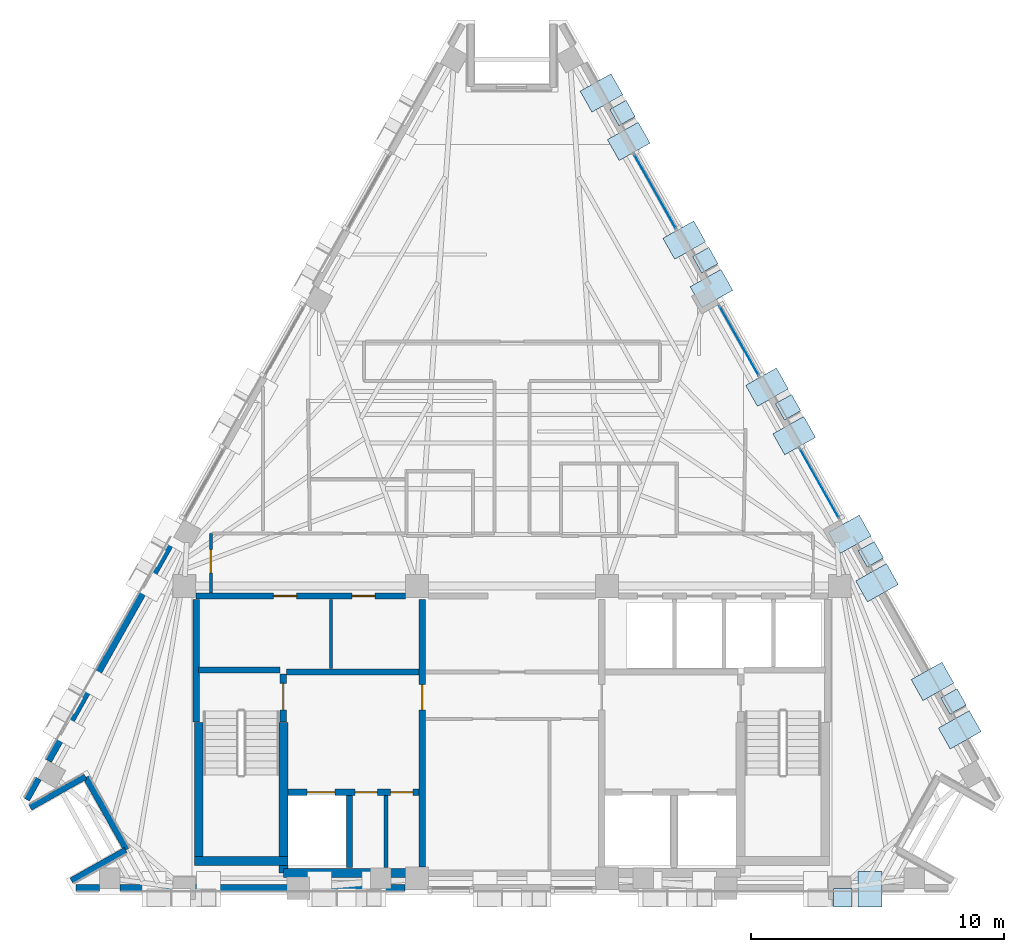
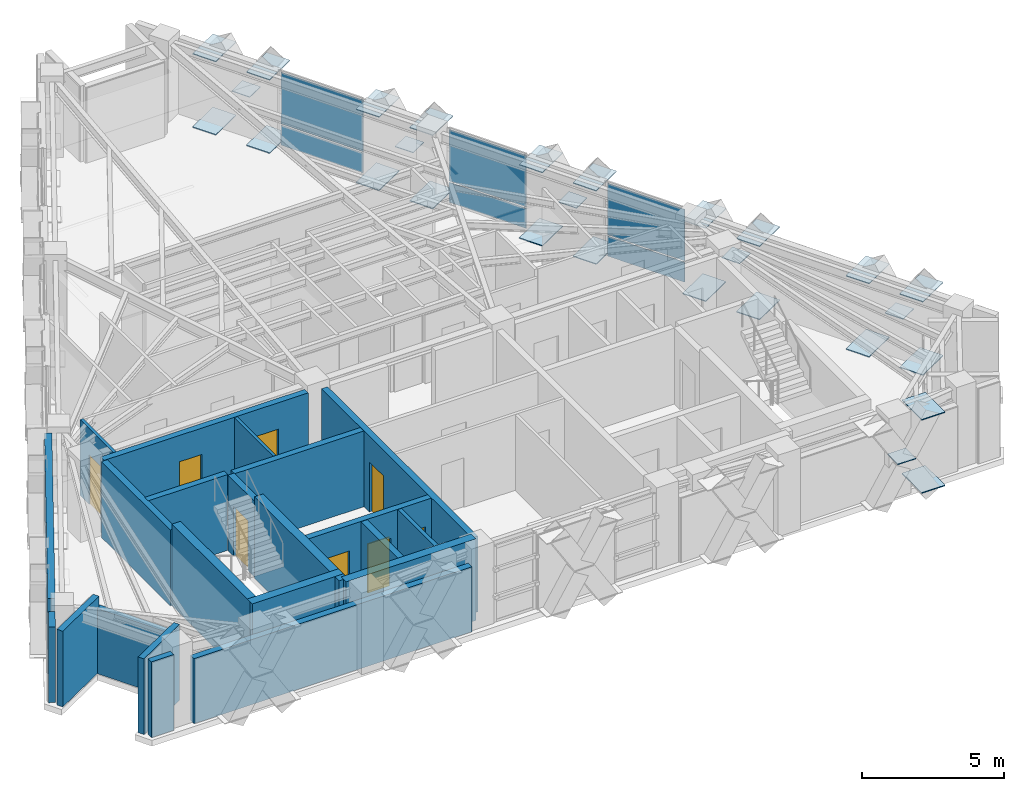
# One storey, part 6 of 11: 34 plates, 22 walls, 8 doors, 8 openings, 3 elements without a shape of their own.
"""IFC4 building model written with IfcOpenShell, lengths in metres."""

from ifc_helpers import new_model, si_unit, direction, frame, frame_2d, origin, origin_2d, place, context, subcontext, project, spatial, rectangle, extrude, material, layer, layer_set, type_object, element, fill, aggregate, save


model = new_model("IFC4")

# Units and contexts
model_context = context("Model", 3, precision=1e-05, world=origin(), true_north=direction((0.0, 1.0)))
body_context = subcontext(model_context, "Body", "Model", "MODEL_VIEW")
ifc_project = project(units=[si_unit("LENGTHUNIT", "METRE"), si_unit("AREAUNIT", "SQUARE_METRE"), si_unit("VOLUMEUNIT", "CUBIC_METRE"), si_unit("PLANEANGLEUNIT", "RADIAN"), si_unit("MASSUNIT", "GRAM", prefix="KILO")], contexts=[model_context])

# Site, building, storey
site_placement = place(None, origin())
site = spatial("IfcSite", under=ifc_project, at=site_placement, CompositionType="ELEMENT")
building_placement = place(site_placement, origin())
building = spatial("IfcBuilding", under=site, at=building_placement, Name="Quenlor Broadcast Tower", CompositionType="ELEMENT")
storey_placement = place(building_placement, frame((0.0, 0.0, 253.39990234375)))
storey = spatial("IfcBuildingStorey", under=building, at=storey_placement, Name="L70", CompositionType="ELEMENT", Elevation=253.39990234375)

# Curtain wall, plates
ifc_material_1 = material(Name="Architectural Terracotta and Low-E Glazing", Category="masonry")
curtain_wall_type = type_object("IfcCurtainWallType", Name="Unitised Terracotta Curtain Wall System Z5", PredefinedType="NOTDEFINED", material=ifc_material_1)
curtain_wall_1_placement = place(storey_placement, origin())
curtain_wall_1 = element("IfcCurtainWall", 1, at=curtain_wall_1_placement, inside=storey, type_object=curtain_wall_type, Name="L70 Curtain Wall CW5 (L70-NEA-G1)", PredefinedType="NOTDEFINED")
ifc_material_2 = material(Name="Double Glazed Low-E Solar Glass", Category="glass")
ifc_layer_1 = layer(ifc_material_2, 0.02587890625)
ifc_layer_set_1 = layer_set([ifc_layer_1], Name="CW5 Double Glazed Vision Panel 26")
plate_type_1 = type_object("IfcPlateType", Name="CW5 Double Glazed Vision Panel 26", PredefinedType="CURTAIN_PANEL", material=ifc_layer_set_1)
plate_1_placement = place(storey_placement, frame((5.65576171875, 10.784423828125, 0.065185546875), z_axis=(0.0, 0.0, 1.0), x_axis=(0.490250335582, -0.871581670563, 0.0)))
plate_1 = element("IfcPlate", 2, at=plate_1_placement, type_object=plate_type_1, Name="CW5 panel 1.1", PredefinedType="CURTAIN_PANEL", context=body_context, shape_type="SweptSolid", body=[
    extrude(rectangle(XDim=3.353271484375, YDim=0.02587890625, at=origin_2d()), origin(), (0.0, 0.0, 1.0), 0.8525390625),
])
plate_2_placement = place(storey_placement, frame((5.65576171875, 10.784423828125, 0.982421875), z_axis=(0.0, 0.0, 1.0), x_axis=(0.490250335582, -0.871581670563, 0.0)))
plate_2 = element("IfcPlate", 3, at=plate_2_placement, type_object=plate_type_1, Name="CW5 panel 1.2", PredefinedType="CURTAIN_PANEL", context=body_context, shape_type="SweptSolid", body=[
    extrude(rectangle(XDim=3.353271484375, YDim=0.02587890625, at=origin_2d()), origin(), (0.0, 0.0, 1.0), 2.202392578125),
])
aggregate(curtain_wall_1, [plate_1, plate_2])

curtain_wall_2_placement = place(storey_placement, origin())
curtain_wall_2 = element("IfcCurtainWall", 4, at=curtain_wall_2_placement, inside=storey, type_object=curtain_wall_type, Name="L70 Curtain Wall CW5 (L70-NE-G1)", PredefinedType="NOTDEFINED")
plate_3_placement = place(storey_placement, frame((8.976806640625, 4.88037109375, 0.065185546875), z_axis=(0.0, 0.0, 1.0), x_axis=(0.490262689797, -0.871574721405, 0.0)))
plate_3 = element("IfcPlate", 5, at=plate_3_placement, type_object=plate_type_1, Name="CW5 panel 1.1", PredefinedType="CURTAIN_PANEL", context=body_context, shape_type="SweptSolid", body=[
    extrude(rectangle(XDim=3.14404296875, YDim=0.02587890625, at=origin_2d()), origin(), (0.0, 0.0, 1.0), 0.8525390625),
])
plate_4_placement = place(storey_placement, frame((8.976806640625, 4.88037109375, 0.982421875), z_axis=(0.0, 0.0, 1.0), x_axis=(0.490262689797, -0.871574721405, 0.0)))
plate_4 = element("IfcPlate", 6, at=plate_4_placement, type_object=plate_type_1, Name="CW5 panel 1.2", PredefinedType="CURTAIN_PANEL", context=body_context, shape_type="SweptSolid", body=[
    extrude(rectangle(XDim=3.14404296875, YDim=0.02587890625, at=origin_2d()), origin(), (0.0, 0.0, 1.0), 2.202392578125),
])
aggregate(curtain_wall_2, [plate_3, plate_4])

curtain_wall_3_placement = place(storey_placement, origin())
curtain_wall_3 = element("IfcCurtainWall", 7, at=curtain_wall_3_placement, inside=storey, type_object=curtain_wall_type, Name="L70 Curtain Wall CW5 (L70-NE-G2)", PredefinedType="NOTDEFINED")
plate_5_placement = place(storey_placement, frame((12.143798828125, -0.75, 0.065185546875), z_axis=(0.0, 0.0, 1.0), x_axis=(0.490262689797, -0.871574721405, 0.0)))
plate_5 = element("IfcPlate", 8, at=plate_5_placement, type_object=plate_type_1, Name="CW5 panel 1.1", PredefinedType="CURTAIN_PANEL", context=body_context, shape_type="SweptSolid", body=[
    extrude(rectangle(XDim=3.14404296875, YDim=0.02587890625, at=origin_2d()), origin(), (0.0, 0.0, 1.0), 0.8525390625),
])
plate_6_placement = place(storey_placement, frame((12.143798828125, -0.75, 0.982421875), z_axis=(0.0, 0.0, 1.0), x_axis=(0.490262689797, -0.871574721405, 0.0)))
plate_6 = element("IfcPlate", 9, at=plate_6_placement, type_object=plate_type_1, Name="CW5 panel 1.2", PredefinedType="CURTAIN_PANEL", context=body_context, shape_type="SweptSolid", body=[
    extrude(rectangle(XDim=3.14404296875, YDim=0.02587890625, at=origin_2d()), origin(), (0.0, 0.0, 1.0), 2.202392578125),
])
aggregate(curtain_wall_3, [plate_5, plate_6])

# Plates
ifc_material_3 = material(Name="Steel S355", Category="steel")
ifc_layer_2 = layer(ifc_material_3, 0.028076171875)
ifc_layer_set_2 = layer_set([ifc_layer_2], Name="Perimeter Lattice Node Steel S355 Cap Plate 740x740x28")
plate_type_2 = type_object("IfcPlateType", Name="Perimeter Lattice Node Steel S355 Cap Plate 740x740x28", PredefinedType="USERDEFINED", material=ifc_layer_set_2)
for number, where, z_axis, x_axis, name in (
    (10, (13.06396484375, -17.1201171875, 1.6162109375), (0.0, 0.0, 1.0), (-1.0, 0.0, 0.0), "L70 Diamond Lattice Crossing Node S-C1"),
    (11, (4.365234375, 13.884521484375, 1.6162109375), (0.0, 0.0, 1.0), (0.490295412055, -0.871556314255, 0.0), "L70 Diamond Lattice Crossing Node NE-C1"),
    (12, (7.635009765625, 8.071533203125, 1.6162109375), (0.0, 0.0, 1.0), (0.490295412055, -0.871556314255, 0.0), "L70 Diamond Lattice Crossing Node NE-C2"),
    (13, (10.904541015625, 2.2587890625, 1.6162109375), (0.0, 0.0, 1.0), (0.490295412055, -0.871556314255, 0.0), "L70 Diamond Lattice Crossing Node NE-C3"),
    (14, (14.17431640625, -3.553955078125, 1.6162109375), (0.0, 0.0, 1.0), (0.490295412055, -0.871556314255, 0.0), "L70 Diamond Lattice Crossing Node NE-C4"),
    (15, (17.444091796875, -9.36669921875, 1.6162109375), (0.0, 0.0, 1.0), (0.490295412055, -0.871556314255, 0.0), "L70 Diamond Lattice Crossing Node NE-C5"),
):
    element("IfcPlate", number, at=place(storey_placement, frame(where, z_axis=z_axis, x_axis=x_axis)), inside=storey, type_object=plate_type_2, Name=name, ObjectType="CAP PLATE", PredefinedType="USERDEFINED", context=body_context, shape_type="SweptSolid", body=[
        extrude(rectangle(XDim=0.739990234375, YDim=0.739990234375, at=origin_2d()), origin(), (0.0, 0.0, 1.0), 0.028076171875),
    ])
ifc_material_4 = material(Name="Steel S355", Category="steel")
ifc_layer_3 = layer(ifc_material_4, 0.035888671875)
ifc_layer_set_3 = layer_set([ifc_layer_3], Name="Transfer Truss Steel S355 Gusset Node Plate 1400x950x36")
plate_type_3 = type_object("IfcPlateType", Name="Transfer Truss Steel S355 Gusset Node Plate 1400x950x36", PredefinedType="SHEET", material=ifc_layer_set_3)
for number, where, z_axis, x_axis, name in (
    (16, (14.1396484375, -16.784912109375, 0.0419921875), (0.0, 0.0, 1.0), (0.0, -1.0, 0.0), "L70 Lattice Tie Gusset Node S-B1"),
    (17, (14.1396484375, -16.784912109375, 3.18212890625), (0.0, 0.0, 1.0), (0.0, -1.0, 0.0), "L70 Lattice Tie Gusset Node S-T1"),
    (18, (3.534912109375, 14.677490234375, 0.0419921875), (0.0, 0.0, 1.0), (0.871556314255, 0.490295412055, 0.0), "L70 Lattice Tie Gusset Node NE-B1"),
    (19, (4.611572265625, 12.762939453125, 3.18212890625), (0.0, 0.0, 1.0), (0.871556314255, 0.490295412055, 0.0), "L70 Lattice Tie Gusset Node NE-T2"),
    (20, (4.611572265625, 12.762939453125, 0.0419921875), (0.0, 0.0, 1.0), (0.871556314255, 0.490295412055, 0.0), "L70 Lattice Tie Gusset Node NE-B2"),
    (21, (3.534912109375, 14.677490234375, 3.18212890625), (0.0, 0.0, 1.0), (0.871556314255, 0.490295412055, 0.0), "L70 Lattice Tie Gusset Node NE-T1"),
    (22, (6.804443359375, 8.864501953125, 0.0419921875), (0.0, 0.0, 1.0), (0.871556314255, 0.490295412055, 0.0), "L70 Lattice Tie Gusset Node NE-B4"),
    (23, (7.88134765625, 6.9501953125, 3.18212890625), (0.0, 0.0, 1.0), (0.871556314255, 0.490295412055, 0.0), "L70 Lattice Tie Gusset Node NE-T5"),
    (24, (7.88134765625, 6.9501953125, 0.0419921875), (0.0, 0.0, 1.0), (0.871556314255, 0.490295412055, 0.0), "L70 Lattice Tie Gusset Node NE-B5"),
    (25, (6.804443359375, 8.864501953125, 3.18212890625), (0.0, 0.0, 1.0), (0.871556314255, 0.490295412055, 0.0), "L70 Lattice Tie Gusset Node NE-T4"),
    (26, (10.07421875, 3.0517578125, 0.0419921875), (0.0, 0.0, 1.0), (0.871556314255, 0.490295412055, 0.0), "L70 Lattice Tie Gusset Node NE-B7"),
    (27, (11.15087890625, 1.137451171875, 3.18212890625), (0.0, 0.0, 1.0), (0.871556314255, 0.490295412055, 0.0), "L70 Lattice Tie Gusset Node NE-T8"),
    (28, (11.15087890625, 1.137451171875, 0.0419921875), (0.0, 0.0, 1.0), (0.871556314255, 0.490295412055, 0.0), "L70 Lattice Tie Gusset Node NE-B8"),
    (29, (10.07421875, 3.0517578125, 3.18212890625), (0.0, 0.0, 1.0), (0.871556314255, 0.490295412055, 0.0), "L70 Lattice Tie Gusset Node NE-T7"),
    (30, (13.343994140625, -2.760986328125, 0.0419921875), (0.0, 0.0, 1.0), (0.871556314255, 0.490295412055, 0.0), "L70 Lattice Tie Gusset Node NE-B10"),
    (31, (14.420654296875, -4.67529296875, 3.18212890625), (0.0, 0.0, 1.0), (0.871556314255, 0.490295412055, 0.0), "L70 Lattice Tie Gusset Node NE-T11"),
    (32, (14.420654296875, -4.67529296875, 0.0419921875), (0.0, 0.0, 1.0), (0.871556314255, 0.490295412055, 0.0), "L70 Lattice Tie Gusset Node NE-B11"),
    (33, (13.343994140625, -2.760986328125, 3.18212890625), (0.0, 0.0, 1.0), (0.871556314255, 0.490295412055, 0.0), "L70 Lattice Tie Gusset Node NE-T10"),
    (34, (16.613525390625, -8.57373046875, 0.0419921875), (0.0, 0.0, 1.0), (0.871556314255, 0.490295412055, 0.0), "L70 Lattice Tie Gusset Node NE-B13"),
    (35, (17.6904296875, -10.48828125, 3.18212890625), (0.0, 0.0, 1.0), (0.871556314255, 0.490295412055, 0.0), "L70 Lattice Tie Gusset Node NE-T14"),
    (36, (17.6904296875, -10.48828125, 0.0419921875), (0.0, 0.0, 1.0), (0.871556314255, 0.490295412055, 0.0), "L70 Lattice Tie Gusset Node NE-B14"),
    (37, (16.613525390625, -8.57373046875, 3.18212890625), (0.0, 0.0, 1.0), (0.871556314255, 0.490295412055, 0.0), "L70 Lattice Tie Gusset Node NE-T13"),
):
    element("IfcPlate", number, at=place(storey_placement, frame(where, z_axis=z_axis, x_axis=x_axis)), inside=storey, type_object=plate_type_3, Name=name, PredefinedType="SHEET", context=body_context, shape_type="SweptSolid", body=[
        extrude(rectangle(XDim=1.39990234375, YDim=0.949951171875, at=origin_2d()), origin(), (0.0, 0.0, 1.0), 0.035888671875),
    ])

# Walls
ifc_material_5 = material(Name="Concrete C50/60", Category="concrete")
ifc_layer_4 = layer(ifc_material_5, 0.35009765625)
ifc_layer_set_4 = layer_set([ifc_layer_4], Name="Core Concrete C50/60 Shear Wall 350")
wall_type_1 = type_object("IfcWallType", Name="Core Concrete C50/60 Shear Wall 350", PredefinedType="SHEAR", material=ifc_layer_set_4)
wall_1_placement = place(storey_placement, frame((-12.550048828125, -15.675048828125, 0.0), z_axis=(0.0, 0.0, 1.0), x_axis=(1.0, 0.0, 0.0)))
element("IfcWall", 38, at=wall_1_placement, inside=storey, type_object=wall_type_1, Name="L70 Core Shear Wall WS-W1", PredefinedType="SHEAR", context=body_context, shape_type="SweptSolid", body=[
    extrude(rectangle(XDim=3.699951171875, YDim=0.35009765625, at=frame_2d((1.85009765625, 0.0))), origin(), (0.0, 0.0, 1.0), 3.5),
])
wall_2_placement = place(storey_placement, frame((-9.02490234375, -16.14990234375, 0.0), z_axis=(0.0, 0.0, 1.0), x_axis=(1.0, 0.0, 0.0)))
element("IfcWall", 39, at=wall_2_placement, inside=storey, type_object=wall_type_1, Name="L70 Core Shear Wall WS-W2", PredefinedType="SHEAR", context=body_context, shape_type="SweptSolid", body=[
    extrude(rectangle(XDim=5.27490234375, YDim=0.35009765625, at=frame_2d((2.637451171875, 0.0))), origin(), (0.0, 0.0, 1.0), 3.5),
])
wall_3_placement = place(storey_placement, frame((-12.375, -15.675048828125, 0.0), z_axis=(0.0, 0.0, 1.0), x_axis=(0.0, 1.0, 0.0)))
element("IfcWall", 40, at=wall_3_placement, inside=storey, type_object=wall_type_1, Name="L70 Core Shear Wall WF-W", PredefinedType="SHEAR", context=body_context, shape_type="SweptSolid", body=[
    extrude(rectangle(XDim=5.47509765625, YDim=0.35009765625, at=frame_2d((2.737548828125, 0.0))), origin(), (0.0, 0.0, 1.0), 3.5),
])
wall_4_placement = place(storey_placement, frame((-9.02490234375, -16.14990234375, 0.0), z_axis=(0.0, 0.0, 1.0), x_axis=(0.0, 1.0, 0.0)))
element("IfcWall", 41, at=wall_4_placement, inside=storey, type_object=wall_type_1, Name="L70 Core Shear Wall WI-W", PredefinedType="SHEAR", context=body_context, shape_type="SweptSolid", body=[
    extrude(rectangle(XDim=5.949951171875, YDim=0.35009765625, at=frame_2d((2.97509765625, 0.0))), origin(), (0.0, 0.0, 1.0), 3.5),
])

# Wall, opening, door
ifc_material_6 = material(Name="Concrete C40/50", Category="concrete")
ifc_layer_5 = layer(ifc_material_6, 0.25)
ifc_layer_set_5 = layer_set([ifc_layer_5], Name="Fire Rated Concrete C40/50 Core Wall 250")
wall_type_2 = type_object("IfcWallType", Name="Fire Rated Concrete C40/50 Core Wall 250", PredefinedType="PARTITIONING", material=ifc_layer_set_5)
wall_5_placement = place(storey_placement, frame((-9.0400390625, -10.179931640625, 0.0), z_axis=(0.0, 0.0, 1.0), x_axis=(0.0, 1.0, 0.0)))
wall_5 = element("IfcWall", 42, at=wall_5_placement, inside=storey, type_object=wall_type_2, Name="L70 Interior Wall CW-ST1-DR", PredefinedType="PARTITIONING", context=body_context, shape_type="SweptSolid", body=[
    extrude(rectangle(XDim=1.89990234375, YDim=0.25, at=frame_2d((0.949951171875, 0.0))), origin(), (0.0, 0.0, 1.0), 3.25),
])
opening_1_placement = place(wall_5_placement, frame((0.47998046875, 0.0, 0.0)))
opening_1 = element("IfcOpeningElement", 43, at=opening_1_placement, cuts=wall_5, Name="Opening FD-1", PredefinedType="OPENING", context=body_context, shape_type="SweptSolid", body=[
    extrude(rectangle(XDim=1.050048828125, YDim=2.14990234375, at=frame_2d((0.52490234375, 1.074951171875))), frame((0.0, 0.135009765625, 0.0), z_axis=(0.0, -1.0, 0.0), x_axis=(1.0, 0.0, 0.0)), (0.0, 0.0, 1.0), 0.27001953125),
])
ifc_material_7 = material(Name="Fire Rated Steel Door Leaf", Category="steel")
door_type_1 = type_object("IfcDoorType", Name="Fire Isolated Stair Door 1050x2150", OperationType="NOTDEFINED", PredefinedType="DOOR", material=ifc_material_7)
door_1_placement = place(opening_1_placement, origin())
door_1 = element("IfcDoor", 44, at=door_1_placement, inside=storey, type_object=door_type_1, Name="L70 Door DR-ST1", OperationType="SINGLE_SWING_LEFT", OverallHeight=2.14990234375, OverallWidth=1.050048828125, PredefinedType="DOOR", context=body_context, shape_type="SweptSolid", body=[
    extrude(rectangle(XDim=1.050048828125, YDim=2.14990234375, at=frame_2d((0.52490234375, 1.074951171875))), frame((0.0, 0.02490234375, 0.0), z_axis=(0.0, -1.0, 0.0), x_axis=(1.0, 0.0, 0.0)), (0.0, 0.0, 1.0), 0.050048828125),
])
fill(opening_1, door_1)

# Walls
wall_6_placement = place(storey_placement, frame((-12.3798828125, -8.1201171875, 0.0), z_axis=(0.0, 0.0, 1.0), x_axis=(1.0, 0.0, 0.0)))
element("IfcWall", 45, at=wall_6_placement, inside=storey, type_object=wall_type_2, Name="L70 Interior Wall CW-ST1-N", PredefinedType="PARTITIONING", context=body_context, shape_type="SweptSolid", body=[
    extrude(rectangle(XDim=3.219970703125, YDim=0.25, at=frame_2d((1.60986328125, 0.0))), origin(), (0.0, 0.0, 1.0), 3.25),
])
wall_7_placement = place(storey_placement, frame((-12.47998046875, -10.179931640625, 0.0), z_axis=(0.0, 0.0, 1.0), x_axis=(0.0, 1.0, 0.0)))
element("IfcWall", 46, at=wall_7_placement, inside=storey, type_object=wall_type_2, Name="L70 Interior Wall CW-ST1-W2", PredefinedType="PARTITIONING", context=body_context, shape_type="SweptSolid", body=[
    extrude(rectangle(XDim=4.83984375, YDim=0.25, at=frame_2d((2.419921875, 0.0))), origin(), (0.0, 0.0, 1.0), 3.25),
])

# Wall, openings, doors
wall_8_placement = place(storey_placement, frame((-8.847900390625, -12.949951171875, 0.0), z_axis=(0.0, 0.0, 1.0), x_axis=(1.0, 0.0, 0.0)))
wall_8 = element("IfcWall", 47, at=wall_8_placement, inside=storey, type_object=wall_type_2, Name="L70 Interior Wall CW-FFW-S", PredefinedType="PARTITIONING", context=body_context, shape_type="SweptSolid", body=[
    extrude(rectangle(XDim=5.16796875, YDim=0.25, at=frame_2d((2.583984375, 0.0))), origin(), (0.0, 0.0, 1.0), 3.25),
])
opening_2_placement = place(wall_8_placement, frame((0.748046875, 0.0, 0.0)))
opening_2 = element("IfcOpeningElement", 48, at=opening_2_placement, cuts=wall_8, Name="Opening LD-FFL-1", PredefinedType="OPENING", context=body_context, shape_type="SweptSolid", body=[
    extrude(rectangle(XDim=1.10009765625, YDim=2.14990234375, at=frame_2d((0.550048828125, 1.074951171875))), frame((0.0, 0.135009765625, 0.0), z_axis=(0.0, -1.0, 0.0), x_axis=(1.0, 0.0, 0.0)), (0.0, 0.0, 1.0), 0.27001953125),
])
opening_3_placement = place(wall_8_placement, frame((2.64794921875, 0.0, 0.0)))
opening_3 = element("IfcOpeningElement", 49, at=opening_3_placement, cuts=wall_8, Name="Opening TD-1", PredefinedType="OPENING", context=body_context, shape_type="SweptSolid", body=[
    extrude(rectangle(XDim=0.8798828125, YDim=2.10009765625, at=frame_2d((0.43994140625, 1.050048828125))), frame((0.0, 0.135009765625, 0.0), z_axis=(0.0, -1.0, 0.0), x_axis=(1.0, 0.0, 0.0)), (0.0, 0.0, 1.0), 0.27001953125),
])
opening_4_placement = place(wall_8_placement, frame((4.048095703125, 0.0, 0.0)))
opening_4 = element("IfcOpeningElement", 50, at=opening_4_placement, cuts=wall_8, Name="Opening TD-1", PredefinedType="OPENING", context=body_context, shape_type="SweptSolid", body=[
    extrude(rectangle(XDim=0.8798828125, YDim=2.10009765625, at=frame_2d((0.43994140625, 1.050048828125))), frame((0.0, 0.135009765625, 0.0), z_axis=(0.0, -1.0, 0.0), x_axis=(1.0, 0.0, 0.0)), (0.0, 0.0, 1.0), 0.27001953125),
])
ifc_material_8 = material(Name="Brushed Stainless Steel", Category="steel")
door_type_2 = type_object("IfcDoorType", Name="Emergency Lift Sliding Landing Door 1100x2150", OperationType="NOTDEFINED", PredefinedType="DOOR", material=ifc_material_8)
door_2_placement = place(opening_2_placement, origin())
door_2 = element("IfcDoor", 51, at=door_2_placement, inside=storey, type_object=door_type_2, Name="L70 Door LD-FFL-1", OperationType="SLIDING_TO_LEFT", OverallHeight=2.14990234375, OverallWidth=1.10009765625, PredefinedType="DOOR", context=body_context, shape_type="SweptSolid", body=[
    extrude(rectangle(XDim=1.10009765625, YDim=2.14990234375, at=frame_2d((0.550048828125, 1.074951171875))), frame((0.0, 0.02490234375, 0.0), z_axis=(0.0, -1.0, 0.0), x_axis=(1.0, 0.0, 0.0)), (0.0, 0.0, 1.0), 0.050048828125),
])
fill(opening_2, door_2)
ifc_material_9 = material(Name="Fire Rated Steel Access Panel", Category="steel")
door_type_3 = type_object("IfcDoorType", Name="Riser Shaft Rated Access Trapdoor 880x2100", OperationType="NOTDEFINED", PredefinedType="TRAPDOOR", material=ifc_material_9)
door_3_placement = place(opening_3_placement, origin())
door_3 = element("IfcDoor", 52, at=door_3_placement, inside=storey, type_object=door_type_3, Name="L70 Door DR-ELR", OperationType="SINGLE_SWING_LEFT", OverallHeight=2.10009765625, OverallWidth=0.8798828125, PredefinedType="TRAPDOOR", context=body_context, shape_type="SweptSolid", body=[
    extrude(rectangle(XDim=0.8798828125, YDim=2.10009765625, at=frame_2d((0.43994140625, 1.050048828125))), frame((0.0, 0.02490234375, 0.0), z_axis=(0.0, -1.0, 0.0), x_axis=(1.0, 0.0, 0.0)), (0.0, 0.0, 1.0), 0.050048828125),
])
fill(opening_3, door_3)
door_4_placement = place(opening_4_placement, origin())
door_4 = element("IfcDoor", 53, at=door_4_placement, inside=storey, type_object=door_type_3, Name="L70 Door DR-CMR", OperationType="SINGLE_SWING_RIGHT", OverallHeight=2.10009765625, OverallWidth=0.8798828125, PredefinedType="TRAPDOOR", context=body_context, shape_type="SweptSolid", body=[
    extrude(rectangle(XDim=0.8798828125, YDim=2.10009765625, at=frame_2d((0.43994140625, 1.050048828125))), frame((0.0, 0.02490234375, 0.0), z_axis=(0.0, -1.0, 0.0), x_axis=(1.0, 0.0, 0.0)), (0.0, 0.0, 1.0), 0.050048828125),
])
fill(opening_4, door_4)

# Walls
wall_9_placement = place(storey_placement, frame((-6.419921875, -15.919921875, 0.0), z_axis=(0.0, 0.0, 1.0), x_axis=(0.0, 1.0, 0.0)))
element("IfcWall", 54, at=wall_9_placement, inside=storey, type_object=wall_type_2, Name="L70 Interior Wall CW-FF1-E", PredefinedType="PARTITIONING", context=body_context, shape_type="SweptSolid", body=[
    extrude(rectangle(XDim=2.829833984375, YDim=0.25, at=frame_2d((1.4150390625, 0.0))), origin(), (0.0, 0.0, 1.0), 3.25),
])
wall_10_placement = place(storey_placement, frame((-8.919921875, -8.199951171875, 0.0), z_axis=(0.0, 0.0, 1.0), x_axis=(1.0, 0.0, 0.0)))
element("IfcWall", 55, at=wall_10_placement, inside=storey, type_object=wall_type_2, Name="L70 Interior Wall CW-FFW-N", PredefinedType="PARTITIONING", context=body_context, shape_type="SweptSolid", body=[
    extrude(rectangle(XDim=5.239990234375, YDim=0.25, at=frame_2d((2.6201171875, 0.0))), origin(), (0.0, 0.0, 1.0), 3.25),
])

# Wall, opening, door
wall_11_placement = place(storey_placement, frame((-3.550048828125, -15.89794921875, 0.0), z_axis=(0.0, 0.0, 1.0), x_axis=(0.0, 1.0, 0.0)))
wall_11 = element("IfcWall", 56, at=wall_11_placement, inside=storey, type_object=wall_type_2, Name="L70 Interior Wall CW-FFW-E", PredefinedType="PARTITIONING", context=body_context, shape_type="SweptSolid", body=[
    extrude(rectangle(XDim=10.557861328125, YDim=0.25, at=frame_2d((5.27880859375, 0.0))), origin(), (0.0, 0.0, 1.0), 3.25),
])
opening_5_placement = place(wall_11_placement, frame((6.197998046875, 0.0, 0.0)))
opening_5 = element("IfcOpeningElement", 57, at=opening_5_placement, cuts=wall_11, Name="Opening FD-2", PredefinedType="OPENING", context=body_context, shape_type="SweptSolid", body=[
    extrude(rectangle(XDim=1.0, YDim=2.14990234375, at=frame_2d((0.5, 1.074951171875))), frame((0.0, 0.135009765625, 0.0), z_axis=(0.0, -1.0, 0.0), x_axis=(1.0, 0.0, 0.0)), (0.0, 0.0, 1.0), 0.27001953125),
])
ifc_material_10 = material(Name="Fire Rated Glazed Steel Door", Category="steel")
door_type_4 = type_object("IfcDoorType", Name="Firefighting Lobby Smoke Door 1000x2150", OperationType="NOTDEFINED", PredefinedType="DOOR", material=ifc_material_10)
door_5_placement = place(opening_5_placement, origin())
door_5 = element("IfcDoor", 58, at=door_5_placement, inside=storey, type_object=door_type_4, Name="L70 Door DR-FFLW", OperationType="SINGLE_SWING_RIGHT", OverallHeight=2.14990234375, OverallWidth=1.0, PredefinedType="DOOR", context=body_context, shape_type="SweptSolid", body=[
    extrude(rectangle(XDim=1.0, YDim=2.14990234375, at=frame_2d((0.5, 1.074951171875))), frame((0.0, 0.02490234375, 0.0), z_axis=(0.0, -1.0, 0.0), x_axis=(1.0, 0.0, 0.0)), (0.0, 0.0, 1.0), 0.050048828125),
])
fill(opening_5, door_5)

# Wall, openings, doors
wall_12_placement = place(storey_placement, frame((-12.47998046875, -5.199951171875, 0.0), z_axis=(0.0, 0.0, 1.0), x_axis=(1.0, 0.0, 0.0)))
wall_12 = element("IfcWall", 59, at=wall_12_placement, inside=storey, type_object=wall_type_2, Name="L70 Interior Wall CW-N-W", PredefinedType="PARTITIONING", context=body_context, shape_type="SweptSolid", body=[
    extrude(rectangle(XDim=8.278076171875, YDim=0.25, at=frame_2d((4.13916015625, 0.0))), origin(), (0.0, 0.0, 1.0), 3.25),
])
opening_6_placement = place(wall_12_placement, frame((3.050048828125, 0.0, 0.0)))
opening_6 = element("IfcOpeningElement", 60, at=opening_6_placement, cuts=wall_12, Name="Opening ID-1", PredefinedType="OPENING", context=body_context, shape_type="SweptSolid", body=[
    extrude(rectangle(XDim=0.919921875, YDim=2.1201171875, at=frame_2d((0.4599609375, 1.06005859375))), frame((0.0, 0.135009765625, 0.0), z_axis=(0.0, -1.0, 0.0), x_axis=(1.0, 0.0, 0.0)), (0.0, 0.0, 1.0), 0.27001953125),
])
opening_7_placement = place(wall_12_placement, frame((6.14990234375, 0.0, 0.0)))
opening_7 = element("IfcOpeningElement", 61, at=opening_7_placement, cuts=wall_12, Name="Opening ID-1", PredefinedType="OPENING", context=body_context, shape_type="SweptSolid", body=[
    extrude(rectangle(XDim=0.919921875, YDim=2.1201171875, at=frame_2d((0.4599609375, 1.06005859375))), frame((0.0, 0.135009765625, 0.0), z_axis=(0.0, -1.0, 0.0), x_axis=(1.0, 0.0, 0.0)), (0.0, 0.0, 1.0), 0.27001953125),
])
ifc_material_11 = material(Name="Solid Core Timber Oak", Category="wood")
door_type_5 = type_object("IfcDoorType", Name="Single Leaf Timber Office Door 920x2120", OperationType="NOTDEFINED", PredefinedType="DOOR", material=ifc_material_11)
door_6_placement = place(opening_6_placement, origin())
door_6 = element("IfcDoor", 62, at=door_6_placement, inside=storey, type_object=door_type_5, Name="L70 Door DR-RCL1", OperationType="SINGLE_SWING_LEFT", OverallHeight=2.1201171875, OverallWidth=0.919921875, PredefinedType="DOOR", context=body_context, shape_type="SweptSolid", body=[
    extrude(rectangle(XDim=0.919921875, YDim=2.1201171875, at=frame_2d((0.4599609375, 1.06005859375))), frame((0.0, 0.02490234375, 0.0), z_axis=(0.0, -1.0, 0.0), x_axis=(1.0, 0.0, 0.0)), (0.0, 0.0, 1.0), 0.050048828125),
])
fill(opening_6, door_6)
door_7_placement = place(opening_7_placement, origin())
door_7 = element("IfcDoor", 63, at=door_7_placement, inside=storey, type_object=door_type_5, Name="L70 Door DR-RCL2", OperationType="SINGLE_SWING_RIGHT", OverallHeight=2.1201171875, OverallWidth=0.919921875, PredefinedType="DOOR", context=body_context, shape_type="SweptSolid", body=[
    extrude(rectangle(XDim=0.919921875, YDim=2.1201171875, at=frame_2d((0.4599609375, 1.06005859375))), frame((0.0, 0.02490234375, 0.0), z_axis=(0.0, -1.0, 0.0), x_axis=(1.0, 0.0, 0.0)), (0.0, 0.0, 1.0), 0.050048828125),
])
fill(opening_7, door_7)

# Walls
ifc_material_12 = material(Name="Gypsum Fireboard Partition", Category="other")
ifc_layer_6 = layer(ifc_material_12, 0.159912109375)
ifc_layer_set_6 = layer_set([ifc_layer_6], Name="Fire Rated Shaft and Corridor Partition 160")
wall_type_3 = type_object("IfcWallType", Name="Fire Rated Shaft and Corridor Partition 160", PredefinedType="PARTITIONING", material=ifc_layer_set_6)
wall_13_placement = place(storey_placement, frame((-4.97998046875, -15.919921875, 0.0), z_axis=(0.0, 0.0, 1.0), x_axis=(0.0, 1.0, 0.0)))
element("IfcWall", 64, at=wall_13_placement, inside=storey, type_object=wall_type_3, Name="L70 Interior Wall CW-ELR-E", PredefinedType="PARTITIONING", context=body_context, shape_type="SweptSolid", body=[
    extrude(rectangle(XDim=2.829833984375, YDim=0.159912109375, at=frame_2d((1.4150390625, 0.0))), origin(), (0.0, 0.0, 1.0), 3.25),
])
ifc_material_13 = material(Name="Gypsum Plasterboard Partition", Category="other")
ifc_layer_7 = layer(ifc_material_13, 0.1201171875)
ifc_layer_set_7 = layer_set([ifc_layer_7], Name="Standard Office Partition 120")
wall_type_4 = type_object("IfcWallType", Name="Standard Office Partition 120", PredefinedType="PARTITIONING", material=ifc_layer_set_7)
wall_14_placement = place(storey_placement, frame((-7.14990234375, -8.072998046875, 0.0), z_axis=(0.0, 0.0, 1.0), x_axis=(0.0, 1.0, 0.0)))
element("IfcWall", 65, at=wall_14_placement, inside=storey, type_object=wall_type_4, Name="L70 Interior Wall CW-RCL-MID", PredefinedType="PARTITIONING", context=body_context, shape_type="SweptSolid", body=[
    extrude(rectangle(XDim=2.73291015625, YDim=0.1201171875, at=frame_2d((1.366455078125, 0.0))), origin(), (0.0, 0.0, 1.0), 3.25),
])

# Wall, opening, door
wall_15_placement = place(storey_placement, frame((-11.89990234375, -5.072998046875, 0.0), z_axis=(0.0, 0.0, 1.0), x_axis=(0.0, 1.0, 0.0)))
wall_15 = element("IfcWall", 66, at=wall_15_placement, inside=storey, type_object=wall_type_4, Name="L70 Interior Wall PW-CR-01", PredefinedType="PARTITIONING", context=body_context, shape_type="SweptSolid", body=[
    extrude(rectangle(XDim=2.343017578125, YDim=0.1201171875, at=frame_2d((1.17138671875, 0.0))), origin(), (0.0, 0.0, 1.0), 3.25),
])
opening_8_placement = place(wall_15_placement, frame((0.782958984375, 0.0, 0.0)))
opening_8 = element("IfcOpeningElement", 67, at=opening_8_placement, cuts=wall_15, Name="Opening ID-1", PredefinedType="OPENING", context=body_context, shape_type="SweptSolid", body=[
    extrude(rectangle(XDim=0.919921875, YDim=2.1201171875, at=frame_2d((0.4599609375, 1.06005859375))), frame((0.0, 0.070068359375, 0.0), z_axis=(0.0, -1.0, 0.0), x_axis=(1.0, 0.0, 0.0)), (0.0, 0.0, 1.0), 0.14013671875),
])
door_8_placement = place(opening_8_placement, origin())
door_8 = element("IfcDoor", 68, at=door_8_placement, inside=storey, type_object=door_type_5, Name="L70 Door DR-RM05", OperationType="SINGLE_SWING_LEFT", OverallHeight=2.1201171875, OverallWidth=0.919921875, PredefinedType="DOOR", context=body_context, shape_type="SweptSolid", body=[
    extrude(rectangle(XDim=0.919921875, YDim=2.1201171875, at=frame_2d((0.4599609375, 1.06005859375))), frame((0.0, 0.02490234375, 0.0), z_axis=(0.0, -1.0, 0.0), x_axis=(1.0, 0.0, 0.0)), (0.0, 0.0, 1.0), 0.050048828125),
])
fill(opening_8, door_8)

# Walls
ifc_material_14 = material(Name="Precast concrete C40/50", Category="concrete")
ifc_layer_8 = layer(ifc_material_14, 0.239990234375)
ifc_layer_set_8 = layer_set([ifc_layer_8], Name="Terrace Threshold Precast Concrete C40/50 Wall 240")
wall_type_5 = type_object("IfcWallType", Name="Terrace Threshold Precast Concrete C40/50 Wall 240", PredefinedType="STANDARD", material=ifc_layer_set_8)
wall_16_placement = place(storey_placement, frame((-16.302490234375, -16.72509765625, 0.0), z_axis=(0.0, 0.0, 1.0), x_axis=(-1.0, 0.0, 0.0)))
element("IfcWall", 69, at=wall_16_placement, inside=storey, type_object=wall_type_5, Name="L70 Exterior Wall L70-SHD-SS1", PredefinedType="STANDARD", context=body_context, shape_type="SweptSolid", body=[
    extrude(rectangle(XDim=0.91748046875, YDim=0.239990234375, at=frame_2d((0.458740234375, 0.0))), origin(), (0.0, 0.0, 1.0), 3.25),
])
wall_17_placement = place(storey_placement, frame((-19.1708984375, -13.242431640625, 0.0), z_axis=(0.0, 0.0, 1.0), x_axis=(0.490199895283, 0.871610040479, 0.0)))
element("IfcWall", 70, at=wall_17_placement, inside=storey, type_object=wall_type_5, Name="L70 Exterior Wall L70-SHD-NWS0", PredefinedType="STANDARD", context=body_context, shape_type="SweptSolid", body=[
    extrude(rectangle(XDim=0.94482421875, YDim=0.239990234375, at=frame_2d((0.472412109375, 0.0))), origin(), (0.0, 0.0, 1.0), 3.25),
])
wall_18_placement = place(storey_placement, frame((-19.033447265625, -13.556396484375, 0.0), z_axis=(0.0, 0.0, 1.0), x_axis=(0.871588577066, 0.490238056792, 0.0)))
element("IfcWall", 71, at=wall_18_placement, inside=storey, type_object=wall_type_5, Name="L70 Exterior Wall L70-CNR-13", PredefinedType="STANDARD", context=body_context, shape_type="SweptSolid", body=[
    extrude(rectangle(XDim=2.5, YDim=0.239990234375, at=frame_2d((1.25, 0.0))), origin(), (0.0, 0.0, 1.0), 3.25),
])
wall_19_placement = place(storey_placement, frame((-16.8349609375, -12.36572265625, 0.0), z_axis=(0.0, 0.0, 1.0), x_axis=(0.490293083368, -0.871557624258, 0.0)))
element("IfcWall", 72, at=wall_19_placement, inside=storey, type_object=wall_type_5, Name="L70 Exterior Wall L70-CNR-14", PredefinedType="STANDARD", context=body_context, shape_type="SweptSolid", body=[
    extrude(rectangle(XDim=3.276123046875, YDim=0.239990234375, at=frame_2d((1.63818359375, 0.0))), origin(), (0.0, 0.0, 1.0), 2.789794921875),
])
wall_20_placement = place(storey_placement, frame((-15.263671875, -15.240478515625, 0.0), z_axis=(0.0, 0.0, 1.0), x_axis=(-0.87157023615, -0.490270663468, 0.0)))
element("IfcWall", 73, at=wall_20_placement, inside=storey, type_object=wall_type_5, Name="L70 Exterior Wall L70-CNR-15", PredefinedType="STANDARD", context=body_context, shape_type="SweptSolid", body=[
    extrude(rectangle(XDim=2.4599609375, YDim=0.239990234375, at=frame_2d((1.22998046875, 0.0))), origin(), (0.0, 0.0, 1.0), 3.25),
])
ifc_material_15 = material(Name="Precast concrete C40/50", Category="concrete")
ifc_layer_9 = layer(ifc_material_15, 0.260009765625)
ifc_layer_set_9 = layer_set([ifc_layer_9], Name="Terracotta Precast Concrete C40/50 Upper Wall 260")
wall_type_6 = type_object("IfcWallType", Name="Terracotta Precast Concrete C40/50 Upper Wall 260", PredefinedType="STANDARD", material=ifc_layer_set_9)
wall_21_placement = place(storey_placement, frame((-4.219970703125, -16.72509765625, 0.0), z_axis=(0.0, 0.0, 1.0), x_axis=(-1.0, 0.0, 0.0)))
element("IfcWall", 74, at=wall_21_placement, inside=storey, type_object=wall_type_6, Name="L70 Exterior Wall L70-EW-SC", PredefinedType="STANDARD", context=body_context, shape_type="SweptSolid", body=[
    extrude(rectangle(XDim=11.272705078125, YDim=0.260009765625, at=frame_2d((5.63623046875, 0.0))), origin(), (0.0, 0.0, 1.0), 2.789794921875),
])
wall_22_placement = place(storey_placement, frame((-18.310546875, -11.712890625, 0.0), z_axis=(0.0, 0.0, 1.0), x_axis=(0.490266968583, 0.871572314565, 0.0)))
element("IfcWall", 75, at=wall_22_placement, inside=storey, type_object=wall_type_6, Name="L70 Exterior Wall L70-EW-NWA", PredefinedType="STANDARD", context=body_context, shape_type="SweptSolid", body=[
    extrude(rectangle(XDim=10.116455078125, YDim=0.260009765625, at=frame_2d((5.05810546875, 0.0))), origin(), (0.0, 0.0, 1.0), 3.25),
])

save(model, "model.ifc")
